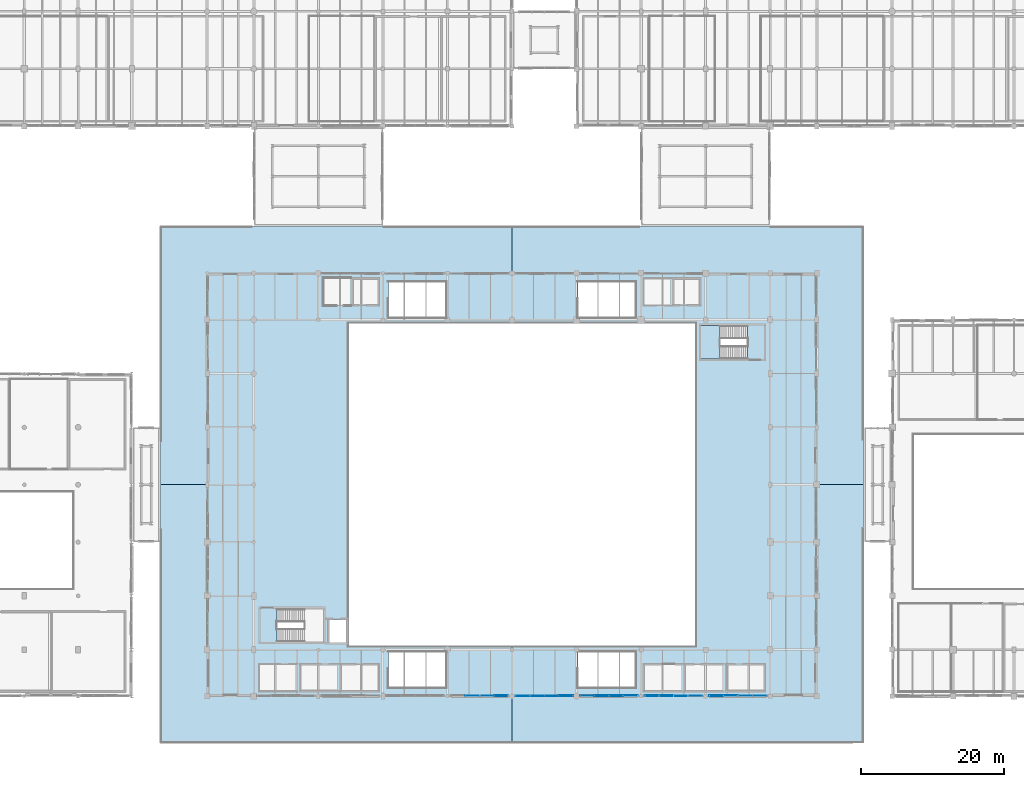
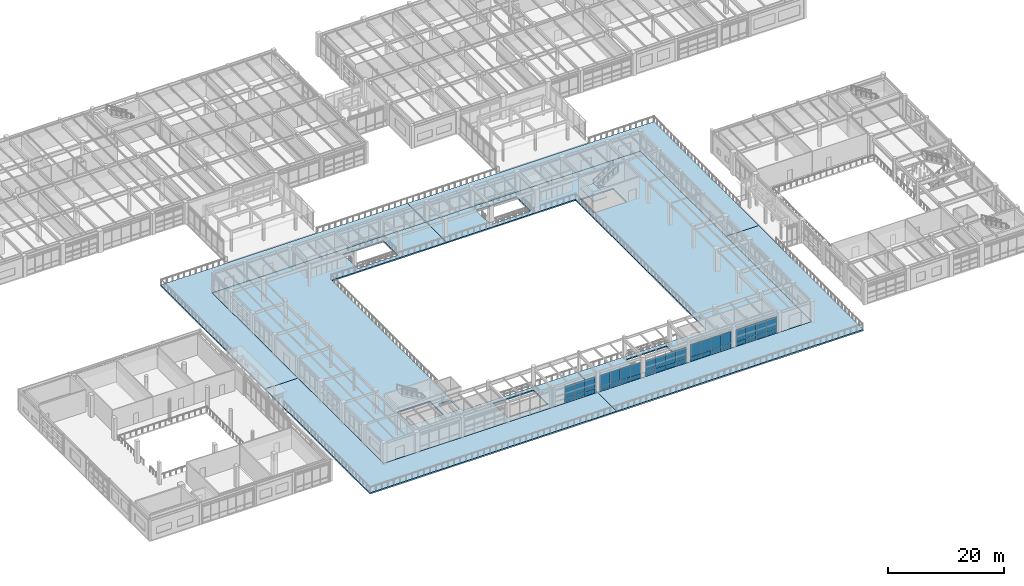
# One storey, part 157 of 200: 38 plates, 7 slabs, 6 elements without a shape of their own.
"""IFC4 building model written with IfcOpenShell, lengths in metres."""

from ifc_helpers import new_model, si_unit, direction, frame, origin, origin_2d, place, context, subcontext, project, spatial, polyline, rectangle, outline, extrude, material, layer, layer_set, type_object, element, aggregate, save


model = new_model("IFC4")

# Units and contexts
model_context = context("Model", 3, precision=1e-05, world=origin(), true_north=direction((0.0, 1.0)))
body_context = subcontext(model_context, "Body", "Model", "MODEL_VIEW")
ifc_project = project(units=[si_unit("LENGTHUNIT", "METRE"), si_unit("AREAUNIT", "SQUARE_METRE"), si_unit("VOLUMEUNIT", "CUBIC_METRE"), si_unit("PLANEANGLEUNIT", "RADIAN"), si_unit("MASSUNIT", "GRAM", prefix="KILO"), si_unit("THERMODYNAMICTEMPERATUREUNIT", "KELVIN"), si_unit("POWERUNIT", "WATT")], contexts=[model_context])

# Site, building, storey
site_placement = place(None, origin())
site = spatial("IfcSite", under=ifc_project, at=site_placement, CompositionType="ELEMENT")
building_placement = place(site_placement, origin())
building = spatial("IfcBuilding", under=site, at=building_placement, Name="Tepalcoro Natatorium and Aquatics Centre", CompositionType="ELEMENT")
storey_placement = place(building_placement, frame((0.0, 0.0, 5.39990234375)))
storey = spatial("IfcBuildingStorey", under=building, at=storey_placement, Name="L01", CompositionType="ELEMENT", Elevation=5.39990234375)

# Curtain wall, plate
ifc_material_1 = material(Name="Bronze-Anodised Extruded Aluminium Alloy EN AW-6063 T6", Category="aluminium")
curtain_wall_type_1 = type_object("IfcCurtainWallType", Name="CW_V5_UPPER", PredefinedType="USERDEFINED", material=ifc_material_1)
curtain_wall_1_placement = place(storey_placement, origin())
curtain_wall_1 = element("IfcCurtainWall", 1, at=curtain_wall_1_placement, inside=storey, type_object=curtain_wall_type_1, Name="V1 L01 S Unitised Curtain Wall Bay 5", ObjectType="FACETED SOLAR GLAZING", PredefinedType="USERDEFINED")
ifc_material_2 = material(Name="Solar-Control Bronze Tempered Low-E Double Glazing", Category="glass")
ifc_layer_1 = layer(ifc_material_2, 0.048095703125)
ifc_layer_set_1 = layer_set([ifc_layer_1], Name="Solar-Control Bronze Tempered Low-E Double Glazing")
plate_type_1 = type_object("IfcPlateType", Name="PL_ACOUSTIC_IGU_48", PredefinedType="CURTAIN_PANEL", material=ifc_layer_set_1)
plate_1_placement = place(storey_placement, frame((87.514892578125, 6.580078125, 0.9599609375), z_axis=(0.0, 0.0, 1.0), x_axis=(1.0, 0.0, 0.0)))
plate_1 = element("IfcPlate", 2, at=plate_1_placement, type_object=plate_type_1, Name="CW_V5_UPPER Insulated Glazing Unit", PredefinedType="CURTAIN_PANEL", context=body_context, shape_type="SweptSolid", body=[
    extrude(rectangle(XDim=1.989990234375, YDim=0.048095703125, at=origin_2d()), origin(), (0.0, 0.0, 1.0), 2.469970703125),
])

curtain_wall_type_2 = type_object("IfcCurtainWallType", Name="CW_LEAN_T1_NS", PredefinedType="USERDEFINED", material=ifc_material_1)
curtain_wall_2_placement = place(storey_placement, origin())
curtain_wall_2 = element("IfcCurtainWall", 3, at=curtain_wall_2_placement, inside=storey, type_object=curtain_wall_type_2, Name="V1 L01 S Unitised Curtain Wall Bay 6", ObjectType="FACETED SOLAR GLAZING", PredefinedType="USERDEFINED")
plate_2_placement = place(storey_placement, frame((94.5048828125, 6.56494140625, 0.9599609375), z_axis=(0.0, 0.0, 1.0), x_axis=(1.0, 0.0, 0.0)))
plate_2 = element("IfcPlate", 4, at=plate_2_placement, type_object=plate_type_1, Name="CW_LEAN_T1_NS Insulated Glazing Unit", PredefinedType="CURTAIN_PANEL", context=body_context, shape_type="SweptSolid", body=[
    extrude(rectangle(XDim=1.989990234375, YDim=0.048095703125, at=origin_2d()), origin(), (0.0, 0.0, 1.0), 2.39404296875),
])

curtain_wall_type_3 = type_object("IfcCurtainWallType", Name="CW_LEAN_T1_EW", PredefinedType="USERDEFINED", material=ifc_material_1)
curtain_wall_3_placement = place(storey_placement, origin())
curtain_wall_3 = element("IfcCurtainWall", 5, at=curtain_wall_3_placement, inside=storey, type_object=curtain_wall_type_3, Name="V1 L01 S Unitised Curtain Wall Bay 7", ObjectType="FACETED SOLAR GLAZING", PredefinedType="USERDEFINED")
plate_3_placement = place(storey_placement, frame((101.4951171875, 6.580078125, 0.9599609375), z_axis=(0.0, 0.0, 1.0), x_axis=(1.0, 0.0, 0.0)))
plate_3 = element("IfcPlate", 6, at=plate_3_placement, type_object=plate_type_1, Name="CW_LEAN_T1_EW Insulated Glazing Unit", PredefinedType="CURTAIN_PANEL", context=body_context, shape_type="SweptSolid", body=[
    extrude(rectangle(XDim=1.989990234375, YDim=0.048095703125, at=origin_2d()), origin(), (0.0, 0.0, 1.0), 2.318115234375),
])

# Curtain wall, plates
curtain_wall_type_4 = type_object("IfcCurtainWallType", Name="CW_LEAN_T2_NS", PredefinedType="USERDEFINED", material=ifc_material_1)
curtain_wall_4_placement = place(storey_placement, origin())
curtain_wall_4 = element("IfcCurtainWall", 7, at=curtain_wall_4_placement, inside=storey, type_object=curtain_wall_type_4, Name="V1 L01 S Unitised Curtain Wall Bay 8", ObjectType="FACETED SOLAR GLAZING", PredefinedType="USERDEFINED")
plate_4_placement = place(storey_placement, frame((108.485107421875, 6.576171875, 0.9599609375), z_axis=(0.0, 0.0, 1.0), x_axis=(1.0, 0.0, 0.0)))
plate_4 = element("IfcPlate", 8, at=plate_4_placement, type_object=plate_type_1, Name="CW_LEAN_T2_NS Insulated Glazing Unit", PredefinedType="CURTAIN_PANEL", context=body_context, shape_type="SweptSolid", body=[
    extrude(rectangle(XDim=1.989990234375, YDim=0.048095703125, at=origin_2d()), origin(), (0.0, 0.0, 1.0), 2.51708984375),
])
plate_5_placement = place(storey_placement, frame((114.514892578125, 6.576171875, 0.9599609375), z_axis=(0.0, 0.0, 1.0), x_axis=(1.0, 0.0, 0.0)))
plate_5 = element("IfcPlate", 9, at=plate_5_placement, type_object=plate_type_1, Name="CW_LEAN_T2_NS Insulated Glazing Unit", PredefinedType="CURTAIN_PANEL", context=body_context, shape_type="SweptSolid", body=[
    extrude(rectangle(XDim=1.989990234375, YDim=0.048095703125, at=origin_2d()), origin(), (0.0, 0.0, 1.0), 2.51708984375),
])

# Curtain wall, plate
curtain_wall_type_5 = type_object("IfcCurtainWallType", Name="CW_LEAN_T2_EW", PredefinedType="USERDEFINED", material=ifc_material_1)
curtain_wall_5_placement = place(storey_placement, origin())
curtain_wall_5 = element("IfcCurtainWall", 10, at=curtain_wall_5_placement, inside=storey, type_object=curtain_wall_type_5, Name="V1 L01 S Unitised Curtain Wall Bay 9", ObjectType="FACETED SOLAR GLAZING", PredefinedType="USERDEFINED")
plate_6_placement = place(storey_placement, frame((121.5048828125, 6.580078125, 0.9599609375), z_axis=(0.0, 0.0, 1.0), x_axis=(1.0, 0.0, 0.0)))
plate_6 = element("IfcPlate", 11, at=plate_6_placement, type_object=plate_type_1, Name="CW_LEAN_T2_EW Insulated Glazing Unit", PredefinedType="CURTAIN_PANEL", context=body_context, shape_type="SweptSolid", body=[
    extrude(rectangle(XDim=1.989990234375, YDim=0.048095703125, at=origin_2d()), origin(), (0.0, 0.0, 1.0), 2.469970703125),
])

# Plate
ifc_layer_2 = layer(ifc_material_2, 0.028076171875)
ifc_layer_set_2 = layer_set([ifc_layer_2], Name="Solar-Control Bronze Tempered Low-E Double Glazing")
plate_type_2 = type_object("IfcPlateType", Name="PL_BRONZE_IGU_28", PredefinedType="CURTAIN_PANEL", material=ifc_layer_set_2)
plate_7_placement = place(storey_placement, frame((85.5048828125, 6.580078125, 0.9599609375), z_axis=(0.0, 0.0, 1.0), x_axis=(1.0, 0.0, 0.0)))
plate_7 = element("IfcPlate", 12, at=plate_7_placement, type_object=plate_type_2, Name="CW_V5_UPPER Insulated Glazing Unit", PredefinedType="CURTAIN_PANEL", context=body_context, shape_type="SweptSolid", body=[
    extrude(rectangle(XDim=1.989990234375, YDim=0.028076171875, at=origin_2d()), origin(), (0.0, 0.0, 1.0), 2.469970703125),
])

plate_8_placement = place(storey_placement, frame((92.4951171875, 6.56494140625, 0.9599609375), z_axis=(0.0, 0.0, 1.0), x_axis=(1.0, 0.0, 0.0)))
plate_8 = element("IfcPlate", 13, at=plate_8_placement, type_object=plate_type_2, Name="CW_LEAN_T1_NS Insulated Glazing Unit", PredefinedType="CURTAIN_PANEL", context=body_context, shape_type="SweptSolid", body=[
    extrude(rectangle(XDim=1.989990234375, YDim=0.028076171875, at=origin_2d()), origin(), (0.0, 0.0, 1.0), 2.39404296875),
])

plate_9_placement = place(storey_placement, frame((99.485107421875, 6.580078125, 0.9599609375), z_axis=(0.0, 0.0, 1.0), x_axis=(1.0, 0.0, 0.0)))
plate_9 = element("IfcPlate", 14, at=plate_9_placement, type_object=plate_type_2, Name="CW_LEAN_T1_EW Insulated Glazing Unit", PredefinedType="CURTAIN_PANEL", context=body_context, shape_type="SweptSolid", body=[
    extrude(rectangle(XDim=1.989990234375, YDim=0.028076171875, at=origin_2d()), origin(), (0.0, 0.0, 1.0), 2.318115234375),
])

plate_10_placement = place(storey_placement, frame((105.514892578125, 6.580078125, 0.9599609375), z_axis=(0.0, 0.0, 1.0), x_axis=(1.0, 0.0, 0.0)))
plate_10 = element("IfcPlate", 15, at=plate_10_placement, type_object=plate_type_2, Name="CW_LEAN_T1_EW Insulated Glazing Unit", PredefinedType="CURTAIN_PANEL", context=body_context, shape_type="SweptSolid", body=[
    extrude(rectangle(XDim=1.989990234375, YDim=0.028076171875, at=origin_2d()), origin(), (0.0, 0.0, 1.0), 2.318115234375),
])

plate_11_placement = place(storey_placement, frame((112.5048828125, 6.576171875, 0.9599609375), z_axis=(0.0, 0.0, 1.0), x_axis=(1.0, 0.0, 0.0)))
plate_11 = element("IfcPlate", 16, at=plate_11_placement, type_object=plate_type_2, Name="CW_LEAN_T2_NS Insulated Glazing Unit", PredefinedType="CURTAIN_PANEL", context=body_context, shape_type="SweptSolid", body=[
    extrude(rectangle(XDim=1.989990234375, YDim=0.028076171875, at=origin_2d()), origin(), (0.0, 0.0, 1.0), 2.51708984375),
])

plate_12_placement = place(storey_placement, frame((119.4951171875, 6.580078125, 0.9599609375), z_axis=(0.0, 0.0, 1.0), x_axis=(1.0, 0.0, 0.0)))
plate_12 = element("IfcPlate", 17, at=plate_12_placement, type_object=plate_type_2, Name="CW_LEAN_T2_EW Insulated Glazing Unit", PredefinedType="CURTAIN_PANEL", context=body_context, shape_type="SweptSolid", body=[
    extrude(rectangle(XDim=1.989990234375, YDim=0.028076171875, at=origin_2d()), origin(), (0.0, 0.0, 1.0), 2.469970703125),
])

ifc_material_3 = material(Name="Jalisco Cantera Rosa Volcanic Tuff Ashlar Masonry", Category="masonry")
ifc_layer_3 = layer(ifc_material_3, 0.090087890625)
ifc_layer_set_3 = layer_set([ifc_layer_3], Name="Jalisco Cantera Rosa Volcanic Tuff Ashlar Masonry")
plate_type_3 = type_object("IfcPlateType", Name="PL_CANTERA_90", PredefinedType="SHEET", material=ifc_layer_set_3)
plate_13_placement = place(storey_placement, frame((87.514892578125, 6.580078125, 0.044921875), z_axis=(0.0, 0.0, 1.0), x_axis=(1.0, 0.0, 0.0)))
plate_13 = element("IfcPlate", 18, at=plate_13_placement, type_object=plate_type_3, Name="CW_V5_UPPER Spandrel & Screen Panel", PredefinedType="SHEET", context=body_context, shape_type="SweptSolid", body=[
    extrude(rectangle(XDim=1.989990234375, YDim=0.090087890625, at=origin_2d()), origin(), (0.0, 0.0, 1.0), 0.909912109375),
])

plate_14_placement = place(storey_placement, frame((94.5048828125, 6.56494140625, 0.044921875), z_axis=(0.0, 0.0, 1.0), x_axis=(1.0, 0.0, 0.0)))
plate_14 = element("IfcPlate", 19, at=plate_14_placement, type_object=plate_type_3, Name="CW_LEAN_T1_NS Spandrel & Screen Panel", PredefinedType="SHEET", context=body_context, shape_type="SweptSolid", body=[
    extrude(rectangle(XDim=1.989990234375, YDim=0.090087890625, at=origin_2d()), origin(), (0.0, 0.0, 1.0), 0.909912109375),
])

plate_15_placement = place(storey_placement, frame((101.4951171875, 6.580078125, 0.044921875), z_axis=(0.0, 0.0, 1.0), x_axis=(1.0, 0.0, 0.0)))
plate_15 = element("IfcPlate", 20, at=plate_15_placement, type_object=plate_type_3, Name="CW_LEAN_T1_EW Spandrel & Screen Panel", PredefinedType="SHEET", context=body_context, shape_type="SweptSolid", body=[
    extrude(rectangle(XDim=1.989990234375, YDim=0.090087890625, at=origin_2d()), origin(), (0.0, 0.0, 1.0), 0.909912109375),
])

plate_16_placement = place(storey_placement, frame((108.485107421875, 6.576171875, 0.044921875), z_axis=(0.0, 0.0, 1.0), x_axis=(1.0, 0.0, 0.0)))
plate_16 = element("IfcPlate", 21, at=plate_16_placement, type_object=plate_type_3, Name="CW_LEAN_T2_NS Spandrel & Screen Panel", PredefinedType="SHEET", context=body_context, shape_type="SweptSolid", body=[
    extrude(rectangle(XDim=1.989990234375, YDim=0.090087890625, at=origin_2d()), origin(), (0.0, 0.0, 1.0), 0.909912109375),
])

ifc_material_4 = material(Name="Clear Tempered Low-E Safety Glazing", Category="glass")
ifc_layer_4 = layer(ifc_material_4, 0.011962890625)
ifc_layer_set_4 = layer_set([ifc_layer_4], Name="Clear Tempered Low-E Safety Glazing")
plate_type_4 = type_object("IfcPlateType", Name="PL_GLASS_12", PredefinedType="CURTAIN_PANEL", material=ifc_layer_set_4)
plate_17_placement = place(storey_placement, frame((83.4951171875, 6.580078125, 0.9599609375), z_axis=(0.0, 0.0, 1.0), x_axis=(1.0, 0.0, 0.0)))
plate_17 = element("IfcPlate", 22, at=plate_17_placement, type_object=plate_type_4, Name="CW_V5_UPPER Insulated Glazing Unit", PredefinedType="CURTAIN_PANEL", context=body_context, shape_type="SweptSolid", body=[
    extrude(rectangle(XDim=1.989990234375, YDim=0.011962890625, at=origin_2d()), origin(), (0.0, 0.0, 1.0), 2.469970703125),
])

plate_18_placement = place(storey_placement, frame((90.485107421875, 6.56494140625, 0.9599609375), z_axis=(0.0, 0.0, 1.0), x_axis=(1.0, 0.0, 0.0)))
plate_18 = element("IfcPlate", 23, at=plate_18_placement, type_object=plate_type_4, Name="CW_LEAN_T1_NS Insulated Glazing Unit", PredefinedType="CURTAIN_PANEL", context=body_context, shape_type="SweptSolid", body=[
    extrude(rectangle(XDim=1.989990234375, YDim=0.011962890625, at=origin_2d()), origin(), (0.0, 0.0, 1.0), 2.39404296875),
])

plate_19_placement = place(storey_placement, frame((96.514892578125, 6.56494140625, 0.9599609375), z_axis=(0.0, 0.0, 1.0), x_axis=(1.0, 0.0, 0.0)))
plate_19 = element("IfcPlate", 24, at=plate_19_placement, type_object=plate_type_4, Name="CW_LEAN_T1_NS Insulated Glazing Unit", PredefinedType="CURTAIN_PANEL", context=body_context, shape_type="SweptSolid", body=[
    extrude(rectangle(XDim=1.989990234375, YDim=0.011962890625, at=origin_2d()), origin(), (0.0, 0.0, 1.0), 2.39404296875),
])

plate_20_placement = place(storey_placement, frame((103.5048828125, 6.580078125, 0.9599609375), z_axis=(0.0, 0.0, 1.0), x_axis=(1.0, 0.0, 0.0)))
plate_20 = element("IfcPlate", 25, at=plate_20_placement, type_object=plate_type_4, Name="CW_LEAN_T1_EW Insulated Glazing Unit", PredefinedType="CURTAIN_PANEL", context=body_context, shape_type="SweptSolid", body=[
    extrude(rectangle(XDim=1.989990234375, YDim=0.011962890625, at=origin_2d()), origin(), (0.0, 0.0, 1.0), 2.318115234375),
])

plate_21_placement = place(storey_placement, frame((110.4951171875, 6.576171875, 0.9599609375), z_axis=(0.0, 0.0, 1.0), x_axis=(1.0, 0.0, 0.0)))
plate_21 = element("IfcPlate", 26, at=plate_21_placement, type_object=plate_type_4, Name="CW_LEAN_T2_NS Insulated Glazing Unit", PredefinedType="CURTAIN_PANEL", context=body_context, shape_type="SweptSolid", body=[
    extrude(rectangle(XDim=1.989990234375, YDim=0.011962890625, at=origin_2d()), origin(), (0.0, 0.0, 1.0), 2.51708984375),
])

plate_22_placement = place(storey_placement, frame((117.485107421875, 6.580078125, 0.9599609375), z_axis=(0.0, 0.0, 1.0), x_axis=(1.0, 0.0, 0.0)))
plate_22 = element("IfcPlate", 27, at=plate_22_placement, type_object=plate_type_4, Name="CW_LEAN_T2_EW Insulated Glazing Unit", PredefinedType="CURTAIN_PANEL", context=body_context, shape_type="SweptSolid", body=[
    extrude(rectangle(XDim=1.989990234375, YDim=0.011962890625, at=origin_2d()), origin(), (0.0, 0.0, 1.0), 2.469970703125),
])

plate_23_placement = place(storey_placement, frame((123.514892578125, 6.580078125, 0.9599609375), z_axis=(0.0, 0.0, 1.0), x_axis=(1.0, 0.0, 0.0)))
plate_23 = element("IfcPlate", 28, at=plate_23_placement, type_object=plate_type_4, Name="CW_LEAN_T2_EW Insulated Glazing Unit", PredefinedType="CURTAIN_PANEL", context=body_context, shape_type="SweptSolid", body=[
    extrude(rectangle(XDim=1.989990234375, YDim=0.011962890625, at=origin_2d()), origin(), (0.0, 0.0, 1.0), 2.469970703125),
])

ifc_material_5 = material(Name="Volcanic Recinto Basalt Ashlar Masonry", Category="masonry")
ifc_layer_5 = layer(ifc_material_5, 0.110107421875)
ifc_layer_set_5 = layer_set([ifc_layer_5], Name="Volcanic Recinto Basalt Ashlar Masonry")
plate_type_5 = type_object("IfcPlateType", Name="PL_RECINTO_110", PredefinedType="SHEET", material=ifc_layer_set_5)
plate_24_placement = place(storey_placement, frame((96.514892578125, 6.56494140625, 0.044921875), z_axis=(0.0, 0.0, 1.0), x_axis=(1.0, 0.0, 0.0)))
plate_24 = element("IfcPlate", 29, at=plate_24_placement, type_object=plate_type_5, Name="CW_LEAN_T1_NS Spandrel & Screen Panel", PredefinedType="SHEET", context=body_context, shape_type="SweptSolid", body=[
    extrude(rectangle(XDim=1.989990234375, YDim=0.110107421875, at=origin_2d()), origin(), (0.0, 0.0, 1.0), 0.909912109375),
])

plate_25_placement = place(storey_placement, frame((103.5048828125, 6.580078125, 0.044921875), z_axis=(0.0, 0.0, 1.0), x_axis=(1.0, 0.0, 0.0)))
plate_25 = element("IfcPlate", 30, at=plate_25_placement, type_object=plate_type_5, Name="CW_LEAN_T1_EW Spandrel & Screen Panel", PredefinedType="SHEET", context=body_context, shape_type="SweptSolid", body=[
    extrude(rectangle(XDim=1.989990234375, YDim=0.110107421875, at=origin_2d()), origin(), (0.0, 0.0, 1.0), 0.909912109375),
])

plate_26_placement = place(storey_placement, frame((110.4951171875, 6.576171875, 0.044921875), z_axis=(0.0, 0.0, 1.0), x_axis=(1.0, 0.0, 0.0)))
plate_26 = element("IfcPlate", 31, at=plate_26_placement, type_object=plate_type_5, Name="CW_LEAN_T2_NS Spandrel & Screen Panel", PredefinedType="SHEET", context=body_context, shape_type="SweptSolid", body=[
    extrude(rectangle(XDim=1.989990234375, YDim=0.110107421875, at=origin_2d()), origin(), (0.0, 0.0, 1.0), 0.909912109375),
])

plate_27_placement = place(storey_placement, frame((117.485107421875, 6.580078125, 0.044921875), z_axis=(0.0, 0.0, 1.0), x_axis=(1.0, 0.0, 0.0)))
plate_27 = element("IfcPlate", 32, at=plate_27_placement, type_object=plate_type_5, Name="CW_LEAN_T2_EW Spandrel & Screen Panel", PredefinedType="SHEET", context=body_context, shape_type="SweptSolid", body=[
    extrude(rectangle(XDim=1.989990234375, YDim=0.110107421875, at=origin_2d()), origin(), (0.0, 0.0, 1.0), 0.909912109375),
])

ifc_layer_6 = layer(ifc_material_1, 0.050048828125)
ifc_layer_set_6 = layer_set([ifc_layer_6], Name="Bronze-Anodised Extruded Aluminium Alloy EN AW-6063 T6")
plate_type_6 = type_object("IfcPlateType", Name="PL_SCREEN_50", PredefinedType="SHEET", material=ifc_layer_set_6)
plate_28_placement = place(storey_placement, frame((83.4951171875, 6.580078125, 0.044921875), z_axis=(0.0, 0.0, 1.0), x_axis=(1.0, 0.0, 0.0)))
plate_28 = element("IfcPlate", 33, at=plate_28_placement, type_object=plate_type_6, Name="CW_V5_UPPER Spandrel & Screen Panel", PredefinedType="SHEET", context=body_context, shape_type="SweptSolid", body=[
    extrude(rectangle(XDim=1.989990234375, YDim=0.050048828125, at=origin_2d()), origin(), (0.0, 0.0, 1.0), 0.909912109375),
])

plate_29_placement = place(storey_placement, frame((90.485107421875, 6.56494140625, 0.044921875), z_axis=(0.0, 0.0, 1.0), x_axis=(1.0, 0.0, 0.0)))
plate_29 = element("IfcPlate", 34, at=plate_29_placement, type_object=plate_type_6, Name="CW_LEAN_T1_NS Spandrel & Screen Panel", PredefinedType="SHEET", context=body_context, shape_type="SweptSolid", body=[
    extrude(rectangle(XDim=1.989990234375, YDim=0.050048828125, at=origin_2d()), origin(), (0.0, 0.0, 1.0), 0.909912109375),
])

plate_30_placement = place(storey_placement, frame((114.514892578125, 6.576171875, 0.044921875), z_axis=(0.0, 0.0, 1.0), x_axis=(1.0, 0.0, 0.0)))
plate_30 = element("IfcPlate", 35, at=plate_30_placement, type_object=plate_type_6, Name="CW_LEAN_T2_NS Spandrel & Screen Panel", PredefinedType="SHEET", context=body_context, shape_type="SweptSolid", body=[
    extrude(rectangle(XDim=1.989990234375, YDim=0.050048828125, at=origin_2d()), origin(), (0.0, 0.0, 1.0), 0.909912109375),
])

plate_31_placement = place(storey_placement, frame((121.5048828125, 6.580078125, 0.044921875), z_axis=(0.0, 0.0, 1.0), x_axis=(1.0, 0.0, 0.0)))
plate_31 = element("IfcPlate", 36, at=plate_31_placement, type_object=plate_type_6, Name="CW_LEAN_T2_EW Spandrel & Screen Panel", PredefinedType="SHEET", context=body_context, shape_type="SweptSolid", body=[
    extrude(rectangle(XDim=1.989990234375, YDim=0.050048828125, at=origin_2d()), origin(), (0.0, 0.0, 1.0), 0.909912109375),
])

ifc_layer_7 = layer(ifc_material_1, 0.06005859375)
ifc_layer_set_7 = layer_set([ifc_layer_7], Name="Bronze-Anodised Extruded Aluminium Alloy EN AW-6063 T6")
plate_type_7 = type_object("IfcPlateType", Name="PL_SCREEN_60", PredefinedType="SHEET", material=ifc_layer_set_7)
plate_32_placement = place(storey_placement, frame((85.5048828125, 6.580078125, 0.044921875), z_axis=(0.0, 0.0, 1.0), x_axis=(1.0, 0.0, 0.0)))
plate_32 = element("IfcPlate", 37, at=plate_32_placement, type_object=plate_type_7, Name="CW_V5_UPPER Spandrel & Screen Panel", PredefinedType="SHEET", context=body_context, shape_type="SweptSolid", body=[
    extrude(rectangle(XDim=1.989990234375, YDim=0.06005859375, at=origin_2d()), origin(), (0.0, 0.0, 1.0), 0.909912109375),
])

aggregate(curtain_wall_1, [plate_17, plate_28, plate_7, plate_32, plate_1, plate_13])

plate_33_placement = place(storey_placement, frame((92.4951171875, 6.56494140625, 0.044921875), z_axis=(0.0, 0.0, 1.0), x_axis=(1.0, 0.0, 0.0)))
plate_33 = element("IfcPlate", 38, at=plate_33_placement, type_object=plate_type_7, Name="CW_LEAN_T1_NS Spandrel & Screen Panel", PredefinedType="SHEET", context=body_context, shape_type="SweptSolid", body=[
    extrude(rectangle(XDim=1.989990234375, YDim=0.06005859375, at=origin_2d()), origin(), (0.0, 0.0, 1.0), 0.909912109375),
])

aggregate(curtain_wall_2, [plate_18, plate_29, plate_8, plate_33, plate_2, plate_14, plate_19, plate_24])

plate_34_placement = place(storey_placement, frame((99.485107421875, 6.580078125, 0.044921875), z_axis=(0.0, 0.0, 1.0), x_axis=(1.0, 0.0, 0.0)))
plate_34 = element("IfcPlate", 39, at=plate_34_placement, type_object=plate_type_7, Name="CW_LEAN_T1_EW Spandrel & Screen Panel", PredefinedType="SHEET", context=body_context, shape_type="SweptSolid", body=[
    extrude(rectangle(XDim=1.989990234375, YDim=0.06005859375, at=origin_2d()), origin(), (0.0, 0.0, 1.0), 0.909912109375),
])

plate_35_placement = place(storey_placement, frame((123.514892578125, 6.580078125, 0.044921875), z_axis=(0.0, 0.0, 1.0), x_axis=(1.0, 0.0, 0.0)))
plate_35 = element("IfcPlate", 40, at=plate_35_placement, type_object=plate_type_7, Name="CW_LEAN_T2_EW Spandrel & Screen Panel", PredefinedType="SHEET", context=body_context, shape_type="SweptSolid", body=[
    extrude(rectangle(XDim=1.989990234375, YDim=0.06005859375, at=origin_2d()), origin(), (0.0, 0.0, 1.0), 0.909912109375),
])

ifc_material_6 = material(Name="Insulated Bronze Anodised Aluminium Spandrel Panel", Category="aluminium")
ifc_layer_8 = layer(ifc_material_6, 0.070068359375)
ifc_layer_set_8 = layer_set([ifc_layer_8], Name="Insulated Bronze Anodised Aluminium Spandrel Panel")
plate_type_8 = type_object("IfcPlateType", Name="PL_SPANDREL_70", PredefinedType="CURTAIN_PANEL", material=ifc_layer_set_8)
plate_36_placement = place(storey_placement, frame((105.514892578125, 6.580078125, 0.044921875), z_axis=(0.0, 0.0, 1.0), x_axis=(1.0, 0.0, 0.0)))
plate_36 = element("IfcPlate", 41, at=plate_36_placement, type_object=plate_type_8, Name="CW_LEAN_T1_EW Spandrel & Screen Panel", PredefinedType="CURTAIN_PANEL", context=body_context, shape_type="SweptSolid", body=[
    extrude(rectangle(XDim=1.989990234375, YDim=0.070068359375, at=origin_2d()), origin(), (0.0, 0.0, 1.0), 0.909912109375),
])

aggregate(curtain_wall_3, [plate_9, plate_34, plate_3, plate_15, plate_20, plate_25, plate_10, plate_36])

plate_37_placement = place(storey_placement, frame((112.5048828125, 6.576171875, 0.044921875), z_axis=(0.0, 0.0, 1.0), x_axis=(1.0, 0.0, 0.0)))
plate_37 = element("IfcPlate", 42, at=plate_37_placement, type_object=plate_type_8, Name="CW_LEAN_T2_NS Spandrel & Screen Panel", PredefinedType="CURTAIN_PANEL", context=body_context, shape_type="SweptSolid", body=[
    extrude(rectangle(XDim=1.989990234375, YDim=0.070068359375, at=origin_2d()), origin(), (0.0, 0.0, 1.0), 0.909912109375),
])

aggregate(curtain_wall_4, [plate_4, plate_16, plate_21, plate_26, plate_11, plate_37, plate_5, plate_30])

plate_38_placement = place(storey_placement, frame((119.4951171875, 6.580078125, 0.044921875), z_axis=(0.0, 0.0, 1.0), x_axis=(1.0, 0.0, 0.0)))
plate_38 = element("IfcPlate", 43, at=plate_38_placement, type_object=plate_type_8, Name="CW_LEAN_T2_EW Spandrel & Screen Panel", PredefinedType="CURTAIN_PANEL", context=body_context, shape_type="SweptSolid", body=[
    extrude(rectangle(XDim=1.989990234375, YDim=0.070068359375, at=origin_2d()), origin(), (0.0, 0.0, 1.0), 0.909912109375),
])

aggregate(curtain_wall_5, [plate_22, plate_27, plate_12, plate_38, plate_6, plate_31, plate_23, plate_35])

# Slabs
ifc_material_7 = material(Name="Concrete C35/45 (fc 35 MPa)", Category="concrete")
ifc_layer_9 = layer(ifc_material_7, 0.260009765625)
ifc_layer_set_9 = layer_set([ifc_layer_9], Name="Concrete C35/45 (fc 35 MPa)")
slab_type_1 = type_object("IfcSlabType", Name="SL_FLOOR_260", PredefinedType="FLOOR", material=ifc_layer_set_9)
slab_1_placement = place(storey_placement, frame((0.0, 0.0, -0.260009765625)))
element("IfcSlab", 44, at=slab_1_placement, inside=storey, type_object=slab_type_1, Name="V1 L01 Natatorium and Civic Floor Slab W", PredefinedType="FLOOR", context=body_context, shape_type="SweptSolid", body=[
    extrude(outline(polyline([(46.5, 6.5), (46.5, 65.5), (89.0, 65.5), (89.0, 58.5), (66.199951171875, 58.5), (66.199951171875, 13.5), (89.0, 13.5), (89.0, 6.5), (46.5, 6.5)]), holes=[polyline([(71.800048828125, 7.75), (79.800048828125, 7.75), (79.800048828125, 12.64990234375), (71.800048828125, 12.64990234375), (71.800048828125, 7.75)]), polyline([(79.800048828125, 64.25), (71.800048828125, 64.25), (71.800048828125, 59.35009765625), (79.800048828125, 59.35009765625), (79.800048828125, 64.25)]), polyline([(56.22998046875, 14.10009765625), (62.699951171875, 14.10009765625), (62.699951171875, 18.699951171875), (56.22998046875, 18.699951171875), (56.22998046875, 14.10009765625)]), polyline([(65.89990234375, 17.199951171875), (63.5, 17.199951171875), (63.5, 14.0), (65.89990234375, 14.0), (65.89990234375, 17.199951171875)])]), origin(), (0.0, 0.0, 1.0), 0.260009765625),
])
slab_2_placement = place(storey_placement, frame((0.0, 0.0, -0.260009765625)))
element("IfcSlab", 45, at=slab_2_placement, inside=storey, type_object=slab_type_1, Name="V1 L01 Natatorium and Civic Floor Slab E", PredefinedType="FLOOR", context=body_context, shape_type="SweptSolid", body=[
    extrude(outline(polyline([(89.0, 6.5), (89.0, 13.5), (114.60009765625, 13.5), (114.60009765625, 58.5), (89.0, 58.5), (89.0, 65.5), (131.5, 65.5), (131.5, 6.5), (89.0, 6.5)]), holes=[polyline([(98.199951171875, 12.64990234375), (98.199951171875, 7.75), (106.199951171875, 7.75), (106.199951171875, 12.64990234375), (98.199951171875, 12.64990234375)]), polyline([(106.199951171875, 59.35009765625), (106.199951171875, 64.25), (98.199951171875, 64.25), (98.199951171875, 59.35009765625), (106.199951171875, 59.35009765625)]), polyline([(115.330078125, 58.169921875), (115.330078125, 53.530029296875), (121.840087890625, 53.530029296875), (121.840087890625, 58.169921875), (115.330078125, 58.169921875)])]), origin(), (0.0, 0.0, 1.0), 0.260009765625),
])

# Stair, slab
stair_type = type_object("IfcStairType", Name="ST_RC_1800_L02", PredefinedType="HALF_TURN_STAIR", material=ifc_material_7)
stair_placement = place(storey_placement, origin())
stair = element("IfcStair", 46, at=stair_placement, inside=storey, type_object=stair_type, Name="Natatorium East Fire Stair (L01 to L02)", PredefinedType="HALF_TURN_STAIR")
ifc_layer_10 = layer(ifc_material_7, 0.199951171875)
ifc_layer_set_10 = layer_set([ifc_layer_10], Name="Concrete C35/45 (fc 35 MPa)")
slab_type_2 = type_object("IfcSlabType", Name="SL_LANDING_200", PredefinedType="LANDING", material=ifc_layer_set_10)
slab_3_placement = place(storey_placement, frame((0.0, 0.0, 2.2001953125)))
slab_3 = element("IfcSlab", 47, at=slab_3_placement, type_object=slab_type_2, Name="Natatorium East Fire Stair (L01 to L02) Half-Landing", PredefinedType="LANDING", context=body_context, shape_type="SweptSolid", body=[
    extrude(outline(polyline([(115.31005859375, 53.510009765625), (118.010009765625, 53.510009765625), (118.010009765625, 58.18994140625), (115.31005859375, 58.18994140625), (115.31005859375, 53.510009765625)])), origin(), (0.0, 0.0, 1.0), 0.199951171875),
])
aggregate(stair, [slab_3])

# Slabs
ifc_layer_11 = layer(ifc_material_7, 0.300048828125)
ifc_layer_set_11 = layer_set([ifc_layer_11], Name="Concrete C35/45 (fc 35 MPa)")
slab_type_3 = type_object("IfcSlabType", Name="SL_TERRACE_300", PredefinedType="FLOOR", material=ifc_layer_set_11)
slab_4_placement = place(storey_placement, frame((0.0, 0.0, -0.2998046875)))
element("IfcSlab", 48, at=slab_4_placement, inside=storey, type_object=slab_type_3, Name="V1 L01 Planted Terrace Walkway SW", PredefinedType="FLOOR", context=body_context, shape_type="SweptSolid", body=[
    extrude(outline(polyline([(40.0, 36.0), (46.5, 36.0), (46.5, 6.5), (89.0, 6.5), (89.0, 0.0), (40.0, 0.0), (40.0, 36.0)])), origin(), (0.0, 0.0, 1.0), 0.2998046875),
])
slab_5_placement = place(storey_placement, frame((0.0, 0.0, -0.2998046875)))
element("IfcSlab", 49, at=slab_5_placement, inside=storey, type_object=slab_type_3, Name="V1 L01 Planted Terrace Walkway SE", PredefinedType="FLOOR", context=body_context, shape_type="SweptSolid", body=[
    extrude(outline(polyline([(138.0, 0.0), (89.0, 0.0), (89.0, 6.5), (131.5, 6.5), (131.5, 36.0), (138.0, 36.0), (138.0, 0.0)])), origin(), (0.0, 0.0, 1.0), 0.2998046875),
])
slab_6_placement = place(storey_placement, frame((0.0, 0.0, -0.2998046875)))
element("IfcSlab", 50, at=slab_6_placement, inside=storey, type_object=slab_type_3, Name="V1 L01 Planted Terrace Walkway NE", PredefinedType="FLOOR", context=body_context, shape_type="SweptSolid", body=[
    extrude(outline(polyline([(138.0, 72.0), (138.0, 36.0), (131.5, 36.0), (131.5, 65.5), (89.0, 65.5), (89.0, 72.0), (138.0, 72.0)])), origin(), (0.0, 0.0, 1.0), 0.2998046875),
])
slab_7_placement = place(storey_placement, frame((0.0, 0.0, -0.2998046875)))
element("IfcSlab", 51, at=slab_7_placement, inside=storey, type_object=slab_type_3, Name="V1 L01 Planted Terrace Walkway NW", PredefinedType="FLOOR", context=body_context, shape_type="SweptSolid", body=[
    extrude(outline(polyline([(40.0, 72.0), (89.0, 72.0), (89.0, 65.5), (46.5, 65.5), (46.5, 36.0), (40.0, 36.0), (40.0, 72.0)])), origin(), (0.0, 0.0, 1.0), 0.2998046875),
])

save(model, "model.ifc")
